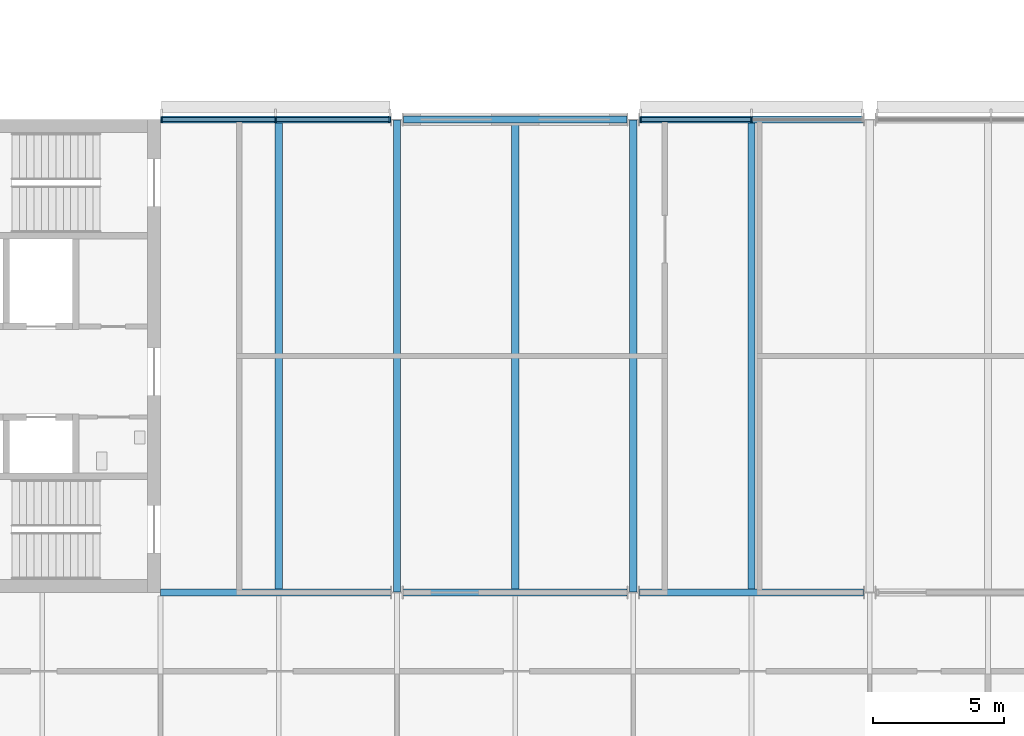
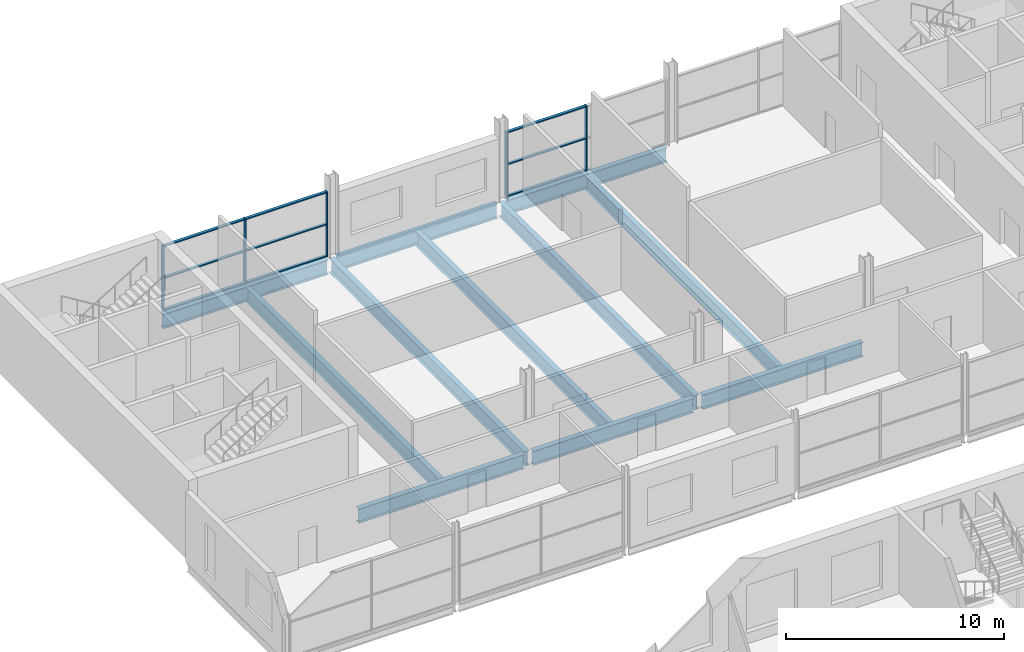
# One storey, part 42 of 97: 14 members, 11 beams, 2 elements without a shape of their own.
"""IFC4 building model written with IfcOpenShell, lengths in metres."""

from ifc_helpers import new_model, si_unit, direction, frame, origin, origin_2d, place, context, subcontext, project, spatial, rectangle, i_section, extrude, material, layer, layer_set, material_profile, profile_set, type_object, element, aggregate, save


model = new_model("IFC4")

# Units and contexts
model_context = context("Model", 3, precision=1e-05, world=origin(), true_north=direction((0.0, 1.0)))
body_context = subcontext(model_context, "Body", "Model", "MODEL_VIEW")
ifc_project = project(units=[si_unit("LENGTHUNIT", "METRE"), si_unit("AREAUNIT", "SQUARE_METRE"), si_unit("VOLUMEUNIT", "CUBIC_METRE"), si_unit("PLANEANGLEUNIT", "RADIAN"), si_unit("MASSUNIT", "GRAM", prefix="KILO")], contexts=[model_context])

# Site, building, storey
site_placement = place(None, origin())
site = spatial("IfcSite", under=ifc_project, at=site_placement, CompositionType="ELEMENT")
building_placement = place(site_placement, origin())
building = spatial("IfcBuilding", under=site, at=building_placement, Name="Corbel Yard City Hall", CompositionType="ELEMENT")
storey_placement = place(building_placement, frame((0.0, 0.0, 6.0)))
storey = spatial("IfcBuildingStorey", under=building, at=storey_placement, Name="L01", CompositionType="ELEMENT", Elevation=6.0)

# Beams
ifc_material_1 = material(Name="Steel Grade 350", Category="steel")
ifc_material_profile_1 = material_profile(ifc_material_1, i_section(OverallWidth=0.27490234375, OverallDepth=0.81005859375, WebThickness=0.010009765625, FlangeThickness=0.02490234375, at=origin_2d()), Name="800WB168")
ifc_profile_set_1 = profile_set([ifc_material_profile_1], Name="Steel Grade 350")
beam_type_1 = type_object("IfcBeamType", Name="Edge beam 800WB168", PredefinedType="BEAM", material=ifc_profile_set_1)
beam_1_placement = place(storey_placement, frame((9.0, 117.0, -0.554931640625), z_axis=(1.0, 0.0, 0.0), x_axis=(0.0, 1.0, 0.0)))
element("IfcBeam", 1, at=beam_1_placement, inside=storey, type_object=beam_type_1, Name="Edge beam 800WB168 EB3 L01floor", PredefinedType="BEAM", context=body_context, shape_type="SweptSolid", body=[
    extrude(i_section(OverallWidth=0.27490234375, OverallDepth=0.81005859375, WebThickness=0.010009765625, FlangeThickness=0.02490234375, at=origin_2d()), origin(), (0.0, 0.0, 1.0), 8.760009765625),
])
for number, where, z_axis, x_axis, name in (
    (2, (18.239990234375, 117.0, -0.554931640625), (1.0, 0.0, 0.0), (0.0, 1.0, 0.0), "Edge beam 800WB168 EB3 L01floor"),
    (3, (27.239990234375, 117.0, -0.554931640625), (1.0, 0.0, 0.0), (0.0, 1.0, 0.0), "Edge beam 800WB168 EB3 L01floor"),
):
    element("IfcBeam", number, at=place(storey_placement, frame(where, z_axis=z_axis, x_axis=x_axis)), inside=storey, type_object=beam_type_1, Name=name, PredefinedType="BEAM", context=body_context, shape_type="SweptSolid", body=[
        extrude(i_section(OverallWidth=0.27490234375, OverallDepth=0.81005859375, WebThickness=0.010009765625, FlangeThickness=0.02490234375, at=origin_2d()), origin(), (0.0, 0.0, 1.0), 8.52001953125),
    ])
ifc_material_profile_2 = material_profile(ifc_material_1, i_section(OverallWidth=0.27490234375, OverallDepth=0.81005859375, WebThickness=0.010009765625, FlangeThickness=0.02490234375, at=origin_2d()), Name="800WB168")
ifc_profile_set_2 = profile_set([ifc_material_profile_2], Name="Steel Grade 350")
beam_type_2 = type_object("IfcBeamType", Name="Girder 800WB168", PredefinedType="BEAM", material=ifc_profile_set_2)
beam_2_placement = place(storey_placement, frame((9.0, 99.0, -0.554931640625), z_axis=(1.0, 0.0, 0.0), x_axis=(0.0, 1.0, 0.0)))
element("IfcBeam", 4, at=beam_2_placement, inside=storey, type_object=beam_type_2, Name="Girder 800WB168 GB4 L01floor", PredefinedType="BEAM", context=body_context, shape_type="SweptSolid", body=[
    extrude(i_section(OverallWidth=0.27490234375, OverallDepth=0.81005859375, WebThickness=0.010009765625, FlangeThickness=0.02490234375, at=origin_2d()), origin(), (0.0, 0.0, 1.0), 8.760009765625),
])
for number, where, z_axis, x_axis, name in (
    (5, (18.239990234375, 99.0, -0.554931640625), (1.0, 0.0, 0.0), (0.0, 1.0, 0.0), "Girder 800WB168 GB4 L01floor"),
    (6, (27.239990234375, 99.0, -0.554931640625), (1.0, 0.0, 0.0), (0.0, 1.0, 0.0), "Girder 800WB168 GB4 L01floor"),
):
    element("IfcBeam", number, at=place(storey_placement, frame(where, z_axis=z_axis, x_axis=x_axis)), inside=storey, type_object=beam_type_2, Name=name, PredefinedType="BEAM", context=body_context, shape_type="SweptSolid", body=[
        extrude(i_section(OverallWidth=0.27490234375, OverallDepth=0.81005859375, WebThickness=0.010009765625, FlangeThickness=0.02490234375, at=origin_2d()), origin(), (0.0, 0.0, 1.0), 8.52001953125),
    ])
ifc_material_profile_3 = material_profile(ifc_material_1, i_section(OverallWidth=0.27490234375, OverallDepth=0.800048828125, WebThickness=0.010009765625, FlangeThickness=0.02001953125, at=origin_2d()), Name="800WB146")
ifc_profile_set_3 = profile_set([ifc_material_profile_3], Name="Steel Grade 350")
beam_type_3 = type_object("IfcBeamType", Name="Long-span beam 800WB146", PredefinedType="BEAM", material=ifc_profile_set_3)
for number, where, z_axis, x_axis, name in (
    (7, (18.0, 99.02001953125, -0.550048828125), (0.0, 1.0, 0.0), (-1.0, 0.0, 0.0), "Long-span beam 800WB146 SB8 L01floor"),
    (8, (27.0, 99.02001953125, -0.550048828125), (0.0, 1.0, 0.0), (-1.0, 0.0, 0.0), "Long-span beam 800WB146 SB8 L01floor"),
):
    element("IfcBeam", number, at=place(storey_placement, frame(where, z_axis=z_axis, x_axis=x_axis)), inside=storey, type_object=beam_type_3, Name=name, PredefinedType="BEAM", context=body_context, shape_type="SweptSolid", body=[
        extrude(i_section(OverallWidth=0.27490234375, OverallDepth=0.800048828125, WebThickness=0.010009765625, FlangeThickness=0.02001953125, at=origin_2d()), origin(), (0.0, 0.0, 1.0), 17.9599609375),
    ])
ifc_material_profile_4 = material_profile(ifc_material_1, i_section(OverallWidth=0.27490234375, OverallDepth=0.800048828125, WebThickness=0.010009765625, FlangeThickness=0.02001953125, at=origin_2d()), Name="800WB146")
ifc_profile_set_4 = profile_set([ifc_material_profile_4], Name="Steel Grade 350")
beam_type_4 = type_object("IfcBeamType", Name="Long-span secondary beam 800WB146", PredefinedType="JOIST", material=ifc_profile_set_4)
for number, where, z_axis, x_axis, name in (
    (9, (13.5, 99.137451171875, -0.550048828125), (0.0, 1.0, 0.0), (-1.0, 0.0, 0.0), "Long-span secondary beam 800WB146 SB7 L01floor"),
    (10, (22.5, 99.137451171875, -0.550048828125), (0.0, 1.0, 0.0), (-1.0, 0.0, 0.0), "Long-span secondary beam 800WB146 SB7 L01floor"),
    (11, (31.5, 99.137451171875, -0.550048828125), (0.0, 1.0, 0.0), (-1.0, 0.0, 0.0), "Long-span secondary beam 800WB146 SB7 L01floor"),
):
    element("IfcBeam", number, at=place(storey_placement, frame(where, z_axis=z_axis, x_axis=x_axis)), inside=storey, type_object=beam_type_4, Name=name, PredefinedType="JOIST", context=body_context, shape_type="SweptSolid", body=[
        extrude(i_section(OverallWidth=0.27490234375, OverallDepth=0.800048828125, WebThickness=0.010009765625, FlangeThickness=0.02001953125, at=origin_2d()), origin(), (0.0, 0.0, 1.0), 17.72509765625),
    ])

# Curtain wall, members
ifc_material_2 = material(Name="Aluminium extrusion", Category="aluminium")
ifc_layer = layer(ifc_material_2, 0.199951171875)
ifc_layer_set = layer_set([ifc_layer], Name="Aluminium extrusion")
curtain_wall_type = type_object("IfcCurtainWallType", Name="CW1", PredefinedType="USERDEFINED", material=ifc_layer_set)
curtain_wall_1_placement = place(storey_placement, origin())
curtain_wall_1 = element("IfcCurtainWall", 12, at=curtain_wall_1_placement, inside=storey, type_object=curtain_wall_type, Name="Curtain wall CW1 L01", ObjectType="CURTAIN WALL", PredefinedType="USERDEFINED")
ifc_material_profile_5 = material_profile(ifc_material_2, rectangle(XDim=0.199951171875, YDim=0.06494140625, at=origin_2d()), Name="200x65")
ifc_profile_set_5 = profile_set([ifc_material_profile_5], Name="Aluminium extrusion")
member_type_1 = type_object("IfcMemberType", Name="ML1", PredefinedType="MULLION", material=ifc_profile_set_5)
member_1_placement = place(storey_placement, frame((9.032470703125, 117.0, 0.0), z_axis=(0.0, 0.0, 1.0), x_axis=(0.0, 1.0, 0.0)))
member_1 = element("IfcMember", 13, at=member_1_placement, type_object=member_type_1, Name="CW1 mullion 1", PredefinedType="MULLION", context=body_context, shape_type="SweptSolid", body=[
    extrude(rectangle(XDim=0.199951171875, YDim=0.06494140625, at=origin_2d()), origin(), (0.0, 0.0, 1.0), 3.639892578125),
])
member_2_placement = place(storey_placement, frame((13.3798828125, 117.0, 0.0), z_axis=(0.0, 0.0, 1.0), x_axis=(0.0, 1.0, 0.0)))
member_2 = element("IfcMember", 14, at=member_2_placement, type_object=member_type_1, Name="CW1 mullion 2", PredefinedType="MULLION", context=body_context, shape_type="SweptSolid", body=[
    extrude(rectangle(XDim=0.199951171875, YDim=0.06494140625, at=origin_2d()), origin(), (0.0, 0.0, 1.0), 3.639892578125),
])
member_3_placement = place(storey_placement, frame((17.7275390625, 117.0, 0.0), z_axis=(0.0, 0.0, 1.0), x_axis=(0.0, 1.0, 0.0)))
member_3 = element("IfcMember", 15, at=member_3_placement, type_object=member_type_1, Name="CW1 mullion 3", PredefinedType="MULLION", context=body_context, shape_type="SweptSolid", body=[
    extrude(rectangle(XDim=0.199951171875, YDim=0.06494140625, at=origin_2d()), origin(), (0.0, 0.0, 1.0), 3.639892578125),
])

curtain_wall_2_placement = place(storey_placement, origin())
curtain_wall_2 = element("IfcCurtainWall", 16, at=curtain_wall_2_placement, inside=storey, type_object=curtain_wall_type, Name="Curtain wall CW1 L01", ObjectType="CURTAIN WALL", PredefinedType="USERDEFINED")
member_4_placement = place(storey_placement, frame((27.2724609375, 117.0, 0.0), z_axis=(0.0, 0.0, 1.0), x_axis=(0.0, 1.0, 0.0)))
member_4 = element("IfcMember", 17, at=member_4_placement, type_object=member_type_1, Name="CW1 mullion 1", PredefinedType="MULLION", context=body_context, shape_type="SweptSolid", body=[
    extrude(rectangle(XDim=0.199951171875, YDim=0.06494140625, at=origin_2d()), origin(), (0.0, 0.0, 1.0), 3.639892578125),
])
member_5_placement = place(storey_placement, frame((31.5, 117.0, 0.0), z_axis=(0.0, 0.0, 1.0), x_axis=(0.0, 1.0, 0.0)))
member_5 = element("IfcMember", 18, at=member_5_placement, type_object=member_type_1, Name="CW1 mullion 2", PredefinedType="MULLION", context=body_context, shape_type="SweptSolid", body=[
    extrude(rectangle(XDim=0.199951171875, YDim=0.06494140625, at=origin_2d()), origin(), (0.0, 0.0, 1.0), 3.639892578125),
])

# Member
ifc_material_profile_6 = material_profile(ifc_material_2, rectangle(XDim=0.14990234375, YDim=0.06494140625, at=origin_2d()), Name="150x65")
ifc_profile_set_6 = profile_set([ifc_material_profile_6], Name="Aluminium extrusion")
member_type_2 = type_object("IfcMemberType", Name="TR1", PredefinedType="USERDEFINED", material=ifc_profile_set_6)
member_6_placement = place(storey_placement, frame((9.06494140625, 117.0, 0.032470703125), z_axis=(1.0, 0.0, 0.0), x_axis=(0.0, 1.0, 0.0)))
member_6 = element("IfcMember", 19, at=member_6_placement, type_object=member_type_2, Name="CW1 transom 1.1", ObjectType="TRANSOM", PredefinedType="USERDEFINED", context=body_context, shape_type="SweptSolid", body=[
    extrude(rectangle(XDim=0.14990234375, YDim=0.06494140625, at=origin_2d()), origin(), (0.0, 0.0, 1.0), 4.282470703125),
])

member_7_placement = place(storey_placement, frame((9.06494140625, 117.0, 1.820068359375), z_axis=(1.0, 0.0, 0.0), x_axis=(0.0, 1.0, 0.0)))
member_7 = element("IfcMember", 20, at=member_7_placement, type_object=member_type_2, Name="CW1 transom 1.2", ObjectType="TRANSOM", PredefinedType="USERDEFINED", context=body_context, shape_type="SweptSolid", body=[
    extrude(rectangle(XDim=0.14990234375, YDim=0.06494140625, at=origin_2d()), origin(), (0.0, 0.0, 1.0), 4.282470703125),
])

member_8_placement = place(storey_placement, frame((9.06494140625, 117.0, 3.607421875), z_axis=(1.0, 0.0, 0.0), x_axis=(0.0, 1.0, 0.0)))
member_8 = element("IfcMember", 21, at=member_8_placement, type_object=member_type_2, Name="CW1 transom 1.3", ObjectType="TRANSOM", PredefinedType="USERDEFINED", context=body_context, shape_type="SweptSolid", body=[
    extrude(rectangle(XDim=0.14990234375, YDim=0.06494140625, at=origin_2d()), origin(), (0.0, 0.0, 1.0), 4.282470703125),
])

member_9_placement = place(storey_placement, frame((13.41259765625, 117.0, 0.032470703125), z_axis=(1.0, 0.0, 0.0), x_axis=(0.0, 1.0, 0.0)))
member_9 = element("IfcMember", 22, at=member_9_placement, type_object=member_type_2, Name="CW1 transom 2.1", ObjectType="TRANSOM", PredefinedType="USERDEFINED", context=body_context, shape_type="SweptSolid", body=[
    extrude(rectangle(XDim=0.14990234375, YDim=0.06494140625, at=origin_2d()), origin(), (0.0, 0.0, 1.0), 4.282470703125),
])

member_10_placement = place(storey_placement, frame((13.41259765625, 117.0, 1.820068359375), z_axis=(1.0, 0.0, 0.0), x_axis=(0.0, 1.0, 0.0)))
member_10 = element("IfcMember", 23, at=member_10_placement, type_object=member_type_2, Name="CW1 transom 2.2", ObjectType="TRANSOM", PredefinedType="USERDEFINED", context=body_context, shape_type="SweptSolid", body=[
    extrude(rectangle(XDim=0.14990234375, YDim=0.06494140625, at=origin_2d()), origin(), (0.0, 0.0, 1.0), 4.282470703125),
])

member_11_placement = place(storey_placement, frame((13.41259765625, 117.0, 3.607421875), z_axis=(1.0, 0.0, 0.0), x_axis=(0.0, 1.0, 0.0)))
member_11 = element("IfcMember", 24, at=member_11_placement, type_object=member_type_2, Name="CW1 transom 2.3", ObjectType="TRANSOM", PredefinedType="USERDEFINED", context=body_context, shape_type="SweptSolid", body=[
    extrude(rectangle(XDim=0.14990234375, YDim=0.06494140625, at=origin_2d()), origin(), (0.0, 0.0, 1.0), 4.282470703125),
])

aggregate(curtain_wall_1, [member_1, member_2, member_3, member_6, member_7, member_8, member_9, member_10, member_11])

member_12_placement = place(storey_placement, frame((27.304931640625, 117.0, 0.032470703125), z_axis=(1.0, 0.0, 0.0), x_axis=(0.0, 1.0, 0.0)))
member_12 = element("IfcMember", 25, at=member_12_placement, type_object=member_type_2, Name="CW1 transom 1.1", ObjectType="TRANSOM", PredefinedType="USERDEFINED", context=body_context, shape_type="SweptSolid", body=[
    extrude(rectangle(XDim=0.14990234375, YDim=0.06494140625, at=origin_2d()), origin(), (0.0, 0.0, 1.0), 4.16259765625),
])

member_13_placement = place(storey_placement, frame((27.304931640625, 117.0, 1.820068359375), z_axis=(1.0, 0.0, 0.0), x_axis=(0.0, 1.0, 0.0)))
member_13 = element("IfcMember", 26, at=member_13_placement, type_object=member_type_2, Name="CW1 transom 1.2", ObjectType="TRANSOM", PredefinedType="USERDEFINED", context=body_context, shape_type="SweptSolid", body=[
    extrude(rectangle(XDim=0.14990234375, YDim=0.06494140625, at=origin_2d()), origin(), (0.0, 0.0, 1.0), 4.16259765625),
])

member_14_placement = place(storey_placement, frame((27.304931640625, 117.0, 3.607421875), z_axis=(1.0, 0.0, 0.0), x_axis=(0.0, 1.0, 0.0)))
member_14 = element("IfcMember", 27, at=member_14_placement, type_object=member_type_2, Name="CW1 transom 1.3", ObjectType="TRANSOM", PredefinedType="USERDEFINED", context=body_context, shape_type="SweptSolid", body=[
    extrude(rectangle(XDim=0.14990234375, YDim=0.06494140625, at=origin_2d()), origin(), (0.0, 0.0, 1.0), 4.16259765625),
])

aggregate(curtain_wall_2, [member_4, member_5, member_12, member_13, member_14])

save(model, "model.ifc")
